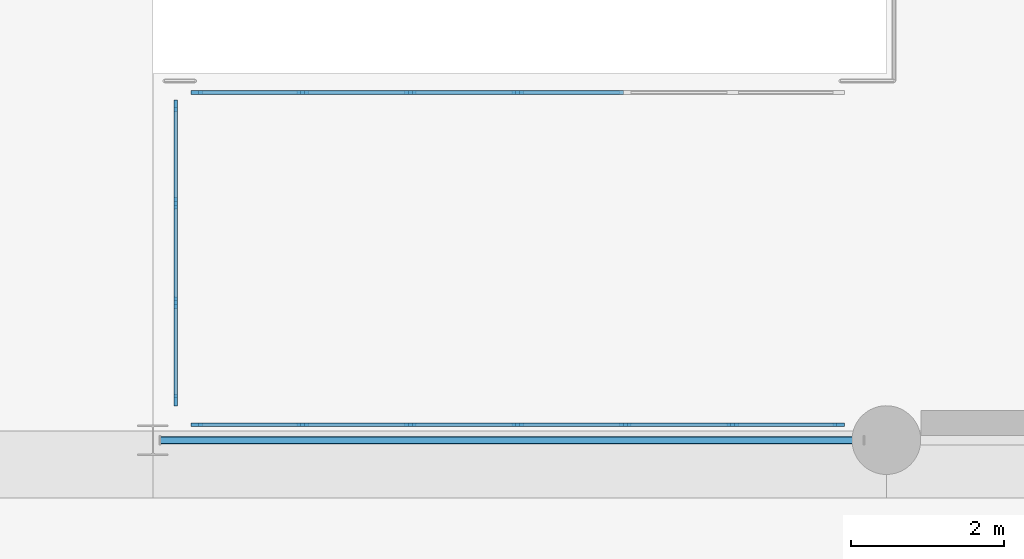
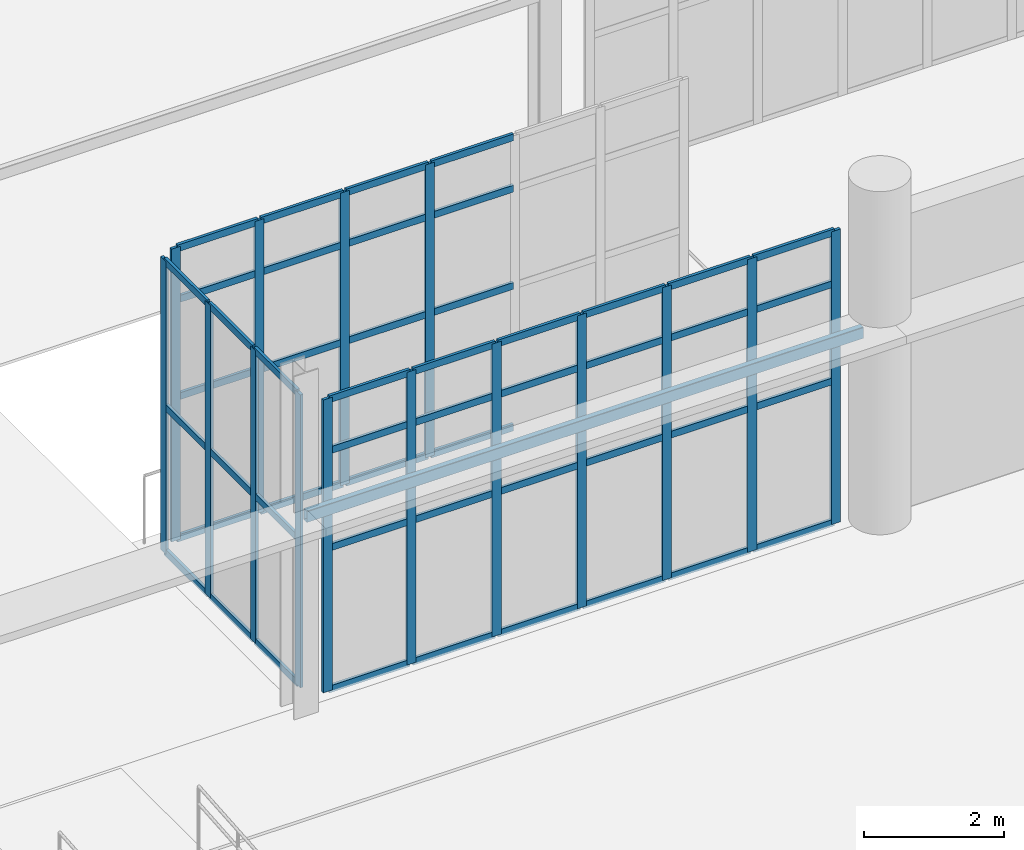
# One storey, part 33 of 139: 64 members, 1 beam, 3 elements without a shape of their own.
"""IFC4 building model written with IfcOpenShell, lengths in metres."""

import ifcopenshell
import ifcopenshell.guid

model = None  # the IFC model being written
_history = None  # IfcOwnerHistory: only IFC2X3 demands one
_inside = {}  # id of a spatial element -> (the spatial element, [elements in it])
_under = {}  # id of a project, library or spatial element -> (it, [spatial elements below it])
_declared = {}  # id of a project -> (the project, [libraries it declares])
_typed = {}  # id of a type object -> (the type object, [elements of that type])
_made_of = {}  # id of a material, layer set ... -> (it, [elements and type objects made of it])


def new_model(schema):
    """Start an empty IFC model of exactly this schema.

    Asked for "IFC4X3", IfcOpenShell would pick the latest addendum, in which some entities
    have other attributes; the version numbers below select the first issue.
    IFC2X3 requires an IfcOwnerHistory on every rooted entity: one is made here for all.
    """
    global model, _history
    if schema == "IFC4X3":
        model = ifcopenshell.file(schema_version=(4, 3, 0, 0))
    else:
        model = ifcopenshell.file(schema=schema)
    _inside.clear()
    _under.clear()
    _declared.clear()
    _typed.clear()
    _made_of.clear()
    _history = None
    if model.schema == "IFC2X3":
        org = make("IfcOrganization", Name="unknown")
        user = make(
            "IfcPersonAndOrganization",
            ThePerson=make("IfcPerson", FamilyName="unknown"),
            TheOrganization=org,
        )
        app = make(
            "IfcApplication",
            ApplicationDeveloper=org,
            Version="unknown",
            ApplicationFullName="unknown",
            ApplicationIdentifier="unknown",
        )
        _history = make(
            "IfcOwnerHistory",
            OwningUser=user,
            OwningApplication=app,
            ChangeAction="ADDED",
            CreationDate=0,
        )
    return model


def make(cls, **values):
    """One entity of the class cls with the attributes given. An attribute that is None is left unset."""
    return model.create_entity(
        cls, **{name: value for name, value in values.items() if value is not None}
    )


def rooted(cls, **values):
    """An entity with a GlobalId (a new one), such as an element, a storey or a relation."""
    return make(cls, GlobalId=ifcopenshell.guid.new(), OwnerHistory=_history, **values)


def si_unit(unit_type, name, prefix=None):
    """IfcSIUnit, for example si_unit("LENGTHUNIT", "METRE", prefix="MILLI")."""
    return make("IfcSIUnit", UnitType=unit_type, Prefix=prefix, Name=name)


def assignment(units):
    """IfcUnitAssignment: the units of a project."""
    return None if units is None else make("IfcUnitAssignment", Units=units)


def point(xyz):
    """IfcCartesianPoint."""
    return None if xyz is None else make("IfcCartesianPoint", Coordinates=xyz)


def direction(xyz):
    """IfcDirection."""
    return None if xyz is None else make("IfcDirection", DirectionRatios=xyz)


def frame(location, z_axis=None, x_axis=None):
    """IfcAxis2Placement3D, a coordinate frame: its origin and axes. An axis left out is left unset."""
    return make(
        "IfcAxis2Placement3D",
        Location=point(location),
        Axis=direction(z_axis),
        RefDirection=direction(x_axis),
    )


def frame_2d(location, x_axis=None):
    """IfcAxis2Placement2D, a coordinate frame in the plane: its origin and x axis."""
    return make(
        "IfcAxis2Placement2D", Location=point(location), RefDirection=direction(x_axis)
    )


def origin():
    """The frame at (0, 0, 0) with its axes left unset."""
    return frame((0.0, 0.0, 0.0))


def origin_2d():
    """The frame at (0, 0) in the plane with its x axis left unset."""
    return frame_2d((0.0, 0.0))


def place(relative_to, where):
    """IfcLocalPlacement: puts the frame where relative to a parent placement (None: the world)."""
    return make(
        "IfcLocalPlacement", PlacementRelTo=relative_to, RelativePlacement=where
    )


def context(
    kind, dimensions, precision=None, world=None, true_north=None, identifier=None
):
    """IfcGeometricRepresentationContext, for example the 3D "Model" context."""
    return make(
        "IfcGeometricRepresentationContext",
        ContextIdentifier=identifier,
        ContextType=kind,
        CoordinateSpaceDimension=dimensions,
        Precision=precision,
        WorldCoordinateSystem=world,
        TrueNorth=true_north,
    )


def subcontext(parent, identifier, kind, view, scale=None):
    """IfcGeometricRepresentationSubContext, for example "Body" below "Model"."""
    return make(
        "IfcGeometricRepresentationSubContext",
        ContextIdentifier=identifier,
        ContextType=kind,
        ParentContext=parent,
        TargetScale=scale,
        TargetView=view,
    )


def project(units=None, contexts=None):
    """IfcProject with its units and contexts."""
    return rooted(
        "IfcProject",
        Name="project",
        RepresentationContexts=contexts,
        UnitsInContext=assignment(units),
    )


def spatial(cls, under=None, at=None, **own):
    """A site, building, storey or space (cls), placed at a placement, below another one or the project."""
    s = rooted(cls, ObjectPlacement=at, **own)
    if under is not None:
        _under.setdefault(under.id(), (under, []))[1].append(s)
    return s


def profile(cls, at=None, kind="AREA", **sizes):
    """A parametric profile (cls). Its sizes go by their IFC names, for example OverallWidth=200.0."""
    return make(cls, ProfileType=kind, Position=at, **sizes)


def rectangle(**sizes):
    """IfcRectangleProfileDef."""
    return profile("IfcRectangleProfileDef", **sizes)


def hollow_rectangle(**sizes):
    """IfcRectangleHollowProfileDef."""
    return profile("IfcRectangleHollowProfileDef", **sizes)


def extrude(swept, where, along, depth):
    """IfcExtrudedAreaSolid: the profile swept, set in the frame where, extruded along a direction by depth."""
    return make(
        "IfcExtrudedAreaSolid",
        SweptArea=swept,
        Position=where,
        ExtrudedDirection=direction(along),
        Depth=depth,
    )


def shape(context_of_items, identifier, shape_type, items):
    """IfcShapeRepresentation: the items that make up one representation, for example the "Body"."""
    return make(
        "IfcShapeRepresentation",
        ContextOfItems=context_of_items,
        RepresentationIdentifier=identifier,
        RepresentationType=shape_type,
        Items=items,
    )


def material(Name=None, Category=None):
    """IfcMaterial."""
    return make("IfcMaterial", Name=Name, Category=Category)


def layer(
    of_material, thickness, ventilated=None, Name=None, Category=None, Priority=None
):
    """IfcMaterialLayer: one layer of a wall or slab, of a material (None: an air gap)."""
    return make(
        "IfcMaterialLayer",
        Material=of_material,
        LayerThickness=thickness,
        IsVentilated=ventilated,
        Name=Name,
        Category=Category,
        Priority=Priority,
    )


def layer_set(layers, Name=None):
    """IfcMaterialLayerSet."""
    return make("IfcMaterialLayerSet", MaterialLayers=layers, LayerSetName=Name)


def material_profile(
    of_material, cross_section, Name=None, Category=None, Priority=None
):
    """IfcMaterialProfile: a cross section and its material."""
    return make(
        "IfcMaterialProfile",
        Name=Name,
        Material=of_material,
        Profile=cross_section,
        Priority=Priority,
        Category=Category,
    )


def profile_set(profiles, Name=None, composite=None):
    """IfcMaterialProfileSet."""
    return make(
        "IfcMaterialProfileSet",
        Name=Name,
        MaterialProfiles=profiles,
        CompositeProfile=composite,
    )


def made_of(thing, what):
    """Note that an element or type object is made of a material, layer set ...; save() writes the relation."""
    if what is not None:
        _made_of.setdefault(what.id(), (what, []))[1].append(thing)
    return thing


def type_object(cls, material=None, **own):
    """A type object (cls), such as IfcWallType, which elements share."""
    return made_of(rooted(cls, **own), material)


def element(
    cls,
    number,
    at=None,
    inside=None,
    cuts=None,
    type_object=None,
    material=None,
    context=None,
    identifier="Body",
    shape_type=None,
    held_by="IfcProductDefinitionShape",
    body=None,
    shapes=None,
    **own,
):
    """One element of the class cls, such as IfcWall. Its Tag is "e" and its number.

    at: its placement. inside: the storey or other place that contains it. cuts: it is an
    opening in that element (IfcRelVoidsElement). A single representation is given by context,
    identifier, shape_type and body (its items); several are given by shapes. held_by: the class
    of the entity that holds the representations. save() writes the other relations.
    """
    e = rooted(cls, Tag="e%d" % number, ObjectPlacement=at, **own)
    if body is not None:
        shapes = [shape(context, identifier, shape_type, body)]
    if shapes is not None:
        e.Representation = make(held_by, Representations=shapes)
    if inside is not None:
        _inside.setdefault(inside.id(), (inside, []))[1].append(e)
    if cuts is not None:
        rooted(
            "IfcRelVoidsElement", RelatingBuildingElement=cuts, RelatedOpeningElement=e
        )
    if type_object is not None:
        _typed.setdefault(type_object.id(), (type_object, []))[1].append(e)
    return made_of(e, material)


def aggregate(whole, parts):
    """IfcRelAggregates: a whole, such as a stair, and the parts it consists of."""
    return rooted("IfcRelAggregates", RelatingObject=whole, RelatedObjects=parts)


def save(model, path):
    """Write the relations noted so far, then the file.

    IfcRelAggregates (storeys below a building ...), IfcRelContainedInSpatialStructure (elements
    in a storey), IfcRelDefinesByType, IfcRelAssociatesMaterial and IfcRelDeclares: one each for
    every whole, place, type object, material and project.
    """
    for whole, parts in _under.values():
        aggregate(whole, parts)
    for where, things in _inside.values():
        rooted(
            "IfcRelContainedInSpatialStructure",
            RelatedElements=things,
            RelatingStructure=where,
        )
    for kind, things in _typed.values():
        rooted("IfcRelDefinesByType", RelatedObjects=things, RelatingType=kind)
    for what, things in _made_of.values():
        rooted("IfcRelAssociatesMaterial", RelatedObjects=things, RelatingMaterial=what)
    for by, libraries in _declared.values():
        rooted("IfcRelDeclares", RelatingContext=by, RelatedDefinitions=libraries)
    model.write(path)


model = new_model("IFC4")

# Units and contexts
model_context = context("Model", 3, precision=1e-05, world=origin(), true_north=direction((0.0, 1.0)))
body_context = subcontext(model_context, "Body", "Model", "MODEL_VIEW")
ifc_project = project(units=[si_unit("LENGTHUNIT", "METRE"), si_unit("AREAUNIT", "SQUARE_METRE"), si_unit("VOLUMEUNIT", "CUBIC_METRE"), si_unit("PLANEANGLEUNIT", "RADIAN"), si_unit("MASSUNIT", "GRAM", prefix="KILO")], contexts=[model_context])

# Site, building, storey
site_placement = place(None, origin())
site = spatial("IfcSite", under=ifc_project, at=site_placement, CompositionType="ELEMENT")
building_placement = place(site_placement, origin())
building = spatial("IfcBuilding", under=site, at=building_placement, Name="Yeouljin Market Hall", CompositionType="ELEMENT")
storey_placement = place(building_placement, origin())
storey = spatial("IfcBuildingStorey", under=building, at=storey_placement, Name="L00", CompositionType="ELEMENT", Elevation=0.0)

# Curtain wall, members
ifc_material_1 = material(Name="Thermally Broken Aluminium", Category="aluminium")
ifc_layer_1 = layer(ifc_material_1, 0.14990234375)
ifc_layer_set_1 = layer_set([ifc_layer_1], Name="Thermally Broken Aluminium")
curtain_wall_type_1 = type_object("IfcCurtainWallType", Name="CW_ColonnadeScreen_System", PredefinedType="USERDEFINED", material=ifc_layer_set_1)
curtain_wall_1_placement = place(storey_placement, origin())
curtain_wall_1 = element("IfcCurtainWall", 1, at=curtain_wall_1_placement, inside=storey, type_object=curtain_wall_type_1, Name="Curtain wall CW-V5S-L00-4", ObjectType="CURTAIN WALL", PredefinedType="USERDEFINED")
ifc_material_2 = material(Name="Thermally Broken Aluminium", Category="aluminium")
ifc_material_profile_1 = material_profile(ifc_material_2, rectangle(XDim=0.048095703125, YDim=0.14990234375, at=origin_2d()), Name="CW-MULL-48x150")
ifc_profile_set_1 = profile_set([ifc_material_profile_1], Name="Thermally Broken Aluminium")
member_type_1 = type_object("IfcMemberType", Name="CWMullion_48x150", PredefinedType="MULLION", material=ifc_profile_set_1)
member_1_placement = place(storey_placement, frame((121.176025390625, 0.199951171875, 0.0), z_axis=(0.0, 0.0, 1.0), x_axis=(0.0, -1.0, 0.0)))
member_1 = element("IfcMember", 2, at=member_1_placement, type_object=member_type_1, Name="CW-06 mullion 1", PredefinedType="MULLION", context=body_context, shape_type="SweptSolid", body=[
    extrude(rectangle(XDim=0.048095703125, YDim=0.14990234375, at=origin_2d()), origin(), (0.0, 0.0, 1.0), 5.1201171875),
])
member_2_placement = place(storey_placement, frame((119.791748046875, 0.199951171875, 0.0), z_axis=(0.0, 0.0, 1.0), x_axis=(0.0, -1.0, 0.0)))
member_2 = element("IfcMember", 3, at=member_2_placement, type_object=member_type_1, Name="CW-06 mullion 2", PredefinedType="MULLION", context=body_context, shape_type="SweptSolid", body=[
    extrude(rectangle(XDim=0.048095703125, YDim=0.14990234375, at=origin_2d()), origin(), (0.0, 0.0, 1.0), 5.1201171875),
])
member_3_placement = place(storey_placement, frame((118.38330078125, 0.199951171875, 0.0), z_axis=(0.0, 0.0, 1.0), x_axis=(0.0, -1.0, 0.0)))
member_3 = element("IfcMember", 4, at=member_3_placement, type_object=member_type_1, Name="CW-06 mullion 3", PredefinedType="MULLION", context=body_context, shape_type="SweptSolid", body=[
    extrude(rectangle(XDim=0.048095703125, YDim=0.14990234375, at=origin_2d()), origin(), (0.0, 0.0, 1.0), 5.1201171875),
])
member_4_placement = place(storey_placement, frame((116.97509765625, 0.199951171875, 0.0), z_axis=(0.0, 0.0, 1.0), x_axis=(0.0, -1.0, 0.0)))
member_4 = element("IfcMember", 5, at=member_4_placement, type_object=member_type_1, Name="CW-06 mullion 4", PredefinedType="MULLION", context=body_context, shape_type="SweptSolid", body=[
    extrude(rectangle(XDim=0.048095703125, YDim=0.14990234375, at=origin_2d()), origin(), (0.0, 0.0, 1.0), 5.1201171875),
])
member_5_placement = place(storey_placement, frame((115.566650390625, 0.199951171875, 0.0), z_axis=(0.0, 0.0, 1.0), x_axis=(0.0, -1.0, 0.0)))
member_5 = element("IfcMember", 6, at=member_5_placement, type_object=member_type_1, Name="CW-06 mullion 5", PredefinedType="MULLION", context=body_context, shape_type="SweptSolid", body=[
    extrude(rectangle(XDim=0.048095703125, YDim=0.14990234375, at=origin_2d()), origin(), (0.0, 0.0, 1.0), 5.1201171875),
])
member_6_placement = place(storey_placement, frame((114.158447265625, 0.199951171875, 0.0), z_axis=(0.0, 0.0, 1.0), x_axis=(0.0, -1.0, 0.0)))
member_6 = element("IfcMember", 7, at=member_6_placement, type_object=member_type_1, Name="CW-06 mullion 6", PredefinedType="MULLION", context=body_context, shape_type="SweptSolid", body=[
    extrude(rectangle(XDim=0.048095703125, YDim=0.14990234375, at=origin_2d()), origin(), (0.0, 0.0, 1.0), 5.1201171875),
])
member_7_placement = place(storey_placement, frame((112.77392578125, 0.199951171875, 0.0), z_axis=(0.0, 0.0, 1.0), x_axis=(0.0, -1.0, 0.0)))
member_7 = element("IfcMember", 8, at=member_7_placement, type_object=member_type_1, Name="CW-06 mullion 7", PredefinedType="MULLION", context=body_context, shape_type="SweptSolid", body=[
    extrude(rectangle(XDim=0.048095703125, YDim=0.14990234375, at=origin_2d()), origin(), (0.0, 0.0, 1.0), 5.1201171875),
])

curtain_wall_2_placement = place(storey_placement, origin())
curtain_wall_2 = element("IfcCurtainWall", 9, at=curtain_wall_2_placement, inside=storey, type_object=curtain_wall_type_1, Name="Curtain wall CW-V5N-L00-4", ObjectType="CURTAIN WALL", PredefinedType="USERDEFINED")
member_8_placement = place(storey_placement, frame((112.77392578125, 4.550048828125, 0.0), z_axis=(0.0, 0.0, 1.0), x_axis=(0.0, 1.0, 0.0)))
member_8 = element("IfcMember", 10, at=member_8_placement, type_object=member_type_1, Name="CW-06 mullion 1", PredefinedType="MULLION", context=body_context, shape_type="SweptSolid", body=[
    extrude(rectangle(XDim=0.048095703125, YDim=0.14990234375, at=origin_2d()), origin(), (0.0, 0.0, 1.0), 5.1201171875),
])
member_9_placement = place(storey_placement, frame((114.158447265625, 4.550048828125, 0.0), z_axis=(0.0, 0.0, 1.0), x_axis=(0.0, 1.0, 0.0)))
member_9 = element("IfcMember", 11, at=member_9_placement, type_object=member_type_1, Name="CW-06 mullion 2", PredefinedType="MULLION", context=body_context, shape_type="SweptSolid", body=[
    extrude(rectangle(XDim=0.048095703125, YDim=0.14990234375, at=origin_2d()), origin(), (0.0, 0.0, 1.0), 5.1201171875),
])
member_10_placement = place(storey_placement, frame((115.566650390625, 4.550048828125, 0.0), z_axis=(0.0, 0.0, 1.0), x_axis=(0.0, 1.0, 0.0)))
member_10 = element("IfcMember", 12, at=member_10_placement, type_object=member_type_1, Name="CW-06 mullion 3", PredefinedType="MULLION", context=body_context, shape_type="SweptSolid", body=[
    extrude(rectangle(XDim=0.048095703125, YDim=0.14990234375, at=origin_2d()), origin(), (0.0, 0.0, 1.0), 5.1201171875),
])
member_11_placement = place(storey_placement, frame((116.97509765625, 4.550048828125, 0.0), z_axis=(0.0, 0.0, 1.0), x_axis=(0.0, 1.0, 0.0)))
member_11 = element("IfcMember", 13, at=member_11_placement, type_object=member_type_1, Name="CW-06 mullion 4", PredefinedType="MULLION", context=body_context, shape_type="SweptSolid", body=[
    extrude(rectangle(XDim=0.048095703125, YDim=0.14990234375, at=origin_2d()), origin(), (0.0, 0.0, 1.0), 5.1201171875),
])

ifc_material_3 = material(Name="Thermally Broken Aluminium", Category="aluminium")
ifc_layer_2 = layer(ifc_material_3, 0.14990234375)
ifc_layer_set_2 = layer_set([ifc_layer_2], Name="Thermally Broken Aluminium")
curtain_wall_type_2 = type_object("IfcCurtainWallType", Name="CW_WingStorefront_System", PredefinedType="USERDEFINED", material=ifc_layer_set_2)
curtain_wall_3_placement = place(storey_placement, origin())
curtain_wall_3 = element("IfcCurtainWall", 14, at=curtain_wall_3_placement, inside=storey, type_object=curtain_wall_type_2, Name="Curtain wall CW-CRT-L00-28", ObjectType="CURTAIN WALL", PredefinedType="USERDEFINED")
member_12_placement = place(storey_placement, frame((112.5, 0.52392578125, 0.0), z_axis=(0.0, 0.0, 1.0), x_axis=(-1.0, 0.0, 0.0)))
member_12 = element("IfcMember", 15, at=member_12_placement, type_object=member_type_1, Name="CW-04 mullion 1", PredefinedType="MULLION", context=body_context, shape_type="SweptSolid", body=[
    extrude(rectangle(XDim=0.048095703125, YDim=0.14990234375, at=origin_2d()), origin(), (0.0, 0.0, 1.0), 5.1201171875),
])
member_13_placement = place(storey_placement, frame((112.5, 1.800048828125, 0.0), z_axis=(0.0, 0.0, 1.0), x_axis=(-1.0, 0.0, 0.0)))
member_13 = element("IfcMember", 16, at=member_13_placement, type_object=member_type_1, Name="CW-04 mullion 2", PredefinedType="MULLION", context=body_context, shape_type="SweptSolid", body=[
    extrude(rectangle(XDim=0.048095703125, YDim=0.14990234375, at=origin_2d()), origin(), (0.0, 0.0, 1.0), 5.1201171875),
])
member_14_placement = place(storey_placement, frame((112.5, 3.10009765625, 0.0), z_axis=(0.0, 0.0, 1.0), x_axis=(-1.0, 0.0, 0.0)))
member_14 = element("IfcMember", 17, at=member_14_placement, type_object=member_type_1, Name="CW-04 mullion 3", PredefinedType="MULLION", context=body_context, shape_type="SweptSolid", body=[
    extrude(rectangle(XDim=0.048095703125, YDim=0.14990234375, at=origin_2d()), origin(), (0.0, 0.0, 1.0), 5.1201171875),
])
member_15_placement = place(storey_placement, frame((112.5, 4.3759765625, 0.0), z_axis=(0.0, 0.0, 1.0), x_axis=(-1.0, 0.0, 0.0)))
member_15 = element("IfcMember", 18, at=member_15_placement, type_object=member_type_1, Name="CW-04 mullion 4", PredefinedType="MULLION", context=body_context, shape_type="SweptSolid", body=[
    extrude(rectangle(XDim=0.048095703125, YDim=0.14990234375, at=origin_2d()), origin(), (0.0, 0.0, 1.0), 5.1201171875),
])

# Member
ifc_material_4 = material(Name="Thermally Broken Aluminium", Category="aluminium")
ifc_material_profile_2 = material_profile(ifc_material_4, rectangle(XDim=0.048095703125, YDim=0.1201171875, at=origin_2d()), Name="CW-TRAN-48x120")
ifc_profile_set_2 = profile_set([ifc_material_profile_2], Name="Thermally Broken Aluminium")
member_type_2 = type_object("IfcMemberType", Name="CWTransom_48x120", PredefinedType="USERDEFINED", material=ifc_profile_set_2)
member_16_placement = place(storey_placement, frame((121.152099609375, 0.199951171875, 0.02392578125), z_axis=(-1.0, 0.0, 0.0), x_axis=(0.0, -1.0, 0.0)))
member_16 = element("IfcMember", 19, at=member_16_placement, type_object=member_type_2, Name="CW-06 transom 1.1", ObjectType="TRANSOM", PredefinedType="USERDEFINED", context=body_context, shape_type="SweptSolid", body=[
    extrude(rectangle(XDim=0.048095703125, YDim=0.1201171875, at=origin_2d()), origin(), (0.0, 0.0, 1.0), 1.33642578125),
])

member_17_placement = place(storey_placement, frame((121.152099609375, 0.199951171875, 2.5), z_axis=(-1.0, 0.0, 0.0), x_axis=(0.0, -1.0, 0.0)))
member_17 = element("IfcMember", 20, at=member_17_placement, type_object=member_type_2, Name="CW-06 transom 1.2", ObjectType="TRANSOM", PredefinedType="USERDEFINED", context=body_context, shape_type="SweptSolid", body=[
    extrude(rectangle(XDim=0.048095703125, YDim=0.1201171875, at=origin_2d()), origin(), (0.0, 0.0, 1.0), 1.33642578125),
])

member_18_placement = place(storey_placement, frame((121.152099609375, 0.199951171875, 4.199951171875), z_axis=(-1.0, 0.0, 0.0), x_axis=(0.0, -1.0, 0.0)))
member_18 = element("IfcMember", 21, at=member_18_placement, type_object=member_type_2, Name="CW-06 transom 1.3", ObjectType="TRANSOM", PredefinedType="USERDEFINED", context=body_context, shape_type="SweptSolid", body=[
    extrude(rectangle(XDim=0.048095703125, YDim=0.1201171875, at=origin_2d()), origin(), (0.0, 0.0, 1.0), 1.33642578125),
])

member_19_placement = place(storey_placement, frame((121.152099609375, 0.199951171875, 5.095947265625), z_axis=(-1.0, 0.0, 0.0), x_axis=(0.0, -1.0, 0.0)))
member_19 = element("IfcMember", 22, at=member_19_placement, type_object=member_type_2, Name="CW-06 transom 1.4", ObjectType="TRANSOM", PredefinedType="USERDEFINED", context=body_context, shape_type="SweptSolid", body=[
    extrude(rectangle(XDim=0.048095703125, YDim=0.1201171875, at=origin_2d()), origin(), (0.0, 0.0, 1.0), 1.33642578125),
])

member_20_placement = place(storey_placement, frame((119.767578125, 0.199951171875, 0.02392578125), z_axis=(-1.0, 0.0, 0.0), x_axis=(0.0, -1.0, 0.0)))
member_20 = element("IfcMember", 23, at=member_20_placement, type_object=member_type_2, Name="CW-06 transom 2.1", ObjectType="TRANSOM", PredefinedType="USERDEFINED", context=body_context, shape_type="SweptSolid", body=[
    extrude(rectangle(XDim=0.048095703125, YDim=0.1201171875, at=origin_2d()), origin(), (0.0, 0.0, 1.0), 1.3603515625),
])

member_21_placement = place(storey_placement, frame((119.767578125, 0.199951171875, 2.5), z_axis=(-1.0, 0.0, 0.0), x_axis=(0.0, -1.0, 0.0)))
member_21 = element("IfcMember", 24, at=member_21_placement, type_object=member_type_2, Name="CW-06 transom 2.2", ObjectType="TRANSOM", PredefinedType="USERDEFINED", context=body_context, shape_type="SweptSolid", body=[
    extrude(rectangle(XDim=0.048095703125, YDim=0.1201171875, at=origin_2d()), origin(), (0.0, 0.0, 1.0), 1.3603515625),
])

member_22_placement = place(storey_placement, frame((119.767578125, 0.199951171875, 4.199951171875), z_axis=(-1.0, 0.0, 0.0), x_axis=(0.0, -1.0, 0.0)))
member_22 = element("IfcMember", 25, at=member_22_placement, type_object=member_type_2, Name="CW-06 transom 2.3", ObjectType="TRANSOM", PredefinedType="USERDEFINED", context=body_context, shape_type="SweptSolid", body=[
    extrude(rectangle(XDim=0.048095703125, YDim=0.1201171875, at=origin_2d()), origin(), (0.0, 0.0, 1.0), 1.3603515625),
])

member_23_placement = place(storey_placement, frame((119.767578125, 0.199951171875, 5.095947265625), z_axis=(-1.0, 0.0, 0.0), x_axis=(0.0, -1.0, 0.0)))
member_23 = element("IfcMember", 26, at=member_23_placement, type_object=member_type_2, Name="CW-06 transom 2.4", ObjectType="TRANSOM", PredefinedType="USERDEFINED", context=body_context, shape_type="SweptSolid", body=[
    extrude(rectangle(XDim=0.048095703125, YDim=0.1201171875, at=origin_2d()), origin(), (0.0, 0.0, 1.0), 1.3603515625),
])

member_24_placement = place(storey_placement, frame((118.359375, 0.199951171875, 0.02392578125), z_axis=(-1.0, 0.0, 0.0), x_axis=(0.0, -1.0, 0.0)))
member_24 = element("IfcMember", 27, at=member_24_placement, type_object=member_type_2, Name="CW-06 transom 3.1", ObjectType="TRANSOM", PredefinedType="USERDEFINED", context=body_context, shape_type="SweptSolid", body=[
    extrude(rectangle(XDim=0.048095703125, YDim=0.1201171875, at=origin_2d()), origin(), (0.0, 0.0, 1.0), 1.3603515625),
])

member_25_placement = place(storey_placement, frame((118.359375, 0.199951171875, 2.5), z_axis=(-1.0, 0.0, 0.0), x_axis=(0.0, -1.0, 0.0)))
member_25 = element("IfcMember", 28, at=member_25_placement, type_object=member_type_2, Name="CW-06 transom 3.2", ObjectType="TRANSOM", PredefinedType="USERDEFINED", context=body_context, shape_type="SweptSolid", body=[
    extrude(rectangle(XDim=0.048095703125, YDim=0.1201171875, at=origin_2d()), origin(), (0.0, 0.0, 1.0), 1.3603515625),
])

member_26_placement = place(storey_placement, frame((118.359375, 0.199951171875, 4.199951171875), z_axis=(-1.0, 0.0, 0.0), x_axis=(0.0, -1.0, 0.0)))
member_26 = element("IfcMember", 29, at=member_26_placement, type_object=member_type_2, Name="CW-06 transom 3.3", ObjectType="TRANSOM", PredefinedType="USERDEFINED", context=body_context, shape_type="SweptSolid", body=[
    extrude(rectangle(XDim=0.048095703125, YDim=0.1201171875, at=origin_2d()), origin(), (0.0, 0.0, 1.0), 1.3603515625),
])

member_27_placement = place(storey_placement, frame((118.359375, 0.199951171875, 5.095947265625), z_axis=(-1.0, 0.0, 0.0), x_axis=(0.0, -1.0, 0.0)))
member_27 = element("IfcMember", 30, at=member_27_placement, type_object=member_type_2, Name="CW-06 transom 3.4", ObjectType="TRANSOM", PredefinedType="USERDEFINED", context=body_context, shape_type="SweptSolid", body=[
    extrude(rectangle(XDim=0.048095703125, YDim=0.1201171875, at=origin_2d()), origin(), (0.0, 0.0, 1.0), 1.3603515625),
])

member_28_placement = place(storey_placement, frame((116.950927734375, 0.199951171875, 0.02392578125), z_axis=(-1.0, 0.0, 0.0), x_axis=(0.0, -1.0, 0.0)))
member_28 = element("IfcMember", 31, at=member_28_placement, type_object=member_type_2, Name="CW-06 transom 4.1", ObjectType="TRANSOM", PredefinedType="USERDEFINED", context=body_context, shape_type="SweptSolid", body=[
    extrude(rectangle(XDim=0.048095703125, YDim=0.1201171875, at=origin_2d()), origin(), (0.0, 0.0, 1.0), 1.3603515625),
])

member_29_placement = place(storey_placement, frame((116.950927734375, 0.199951171875, 2.5), z_axis=(-1.0, 0.0, 0.0), x_axis=(0.0, -1.0, 0.0)))
member_29 = element("IfcMember", 32, at=member_29_placement, type_object=member_type_2, Name="CW-06 transom 4.2", ObjectType="TRANSOM", PredefinedType="USERDEFINED", context=body_context, shape_type="SweptSolid", body=[
    extrude(rectangle(XDim=0.048095703125, YDim=0.1201171875, at=origin_2d()), origin(), (0.0, 0.0, 1.0), 1.3603515625),
])

member_30_placement = place(storey_placement, frame((116.950927734375, 0.199951171875, 4.199951171875), z_axis=(-1.0, 0.0, 0.0), x_axis=(0.0, -1.0, 0.0)))
member_30 = element("IfcMember", 33, at=member_30_placement, type_object=member_type_2, Name="CW-06 transom 4.3", ObjectType="TRANSOM", PredefinedType="USERDEFINED", context=body_context, shape_type="SweptSolid", body=[
    extrude(rectangle(XDim=0.048095703125, YDim=0.1201171875, at=origin_2d()), origin(), (0.0, 0.0, 1.0), 1.3603515625),
])

member_31_placement = place(storey_placement, frame((116.950927734375, 0.199951171875, 5.095947265625), z_axis=(-1.0, 0.0, 0.0), x_axis=(0.0, -1.0, 0.0)))
member_31 = element("IfcMember", 34, at=member_31_placement, type_object=member_type_2, Name="CW-06 transom 4.4", ObjectType="TRANSOM", PredefinedType="USERDEFINED", context=body_context, shape_type="SweptSolid", body=[
    extrude(rectangle(XDim=0.048095703125, YDim=0.1201171875, at=origin_2d()), origin(), (0.0, 0.0, 1.0), 1.3603515625),
])

member_32_placement = place(storey_placement, frame((115.542724609375, 0.199951171875, 0.02392578125), z_axis=(-1.0, 0.0, 0.0), x_axis=(0.0, -1.0, 0.0)))
member_32 = element("IfcMember", 35, at=member_32_placement, type_object=member_type_2, Name="CW-06 transom 5.1", ObjectType="TRANSOM", PredefinedType="USERDEFINED", context=body_context, shape_type="SweptSolid", body=[
    extrude(rectangle(XDim=0.048095703125, YDim=0.1201171875, at=origin_2d()), origin(), (0.0, 0.0, 1.0), 1.3603515625),
])

member_33_placement = place(storey_placement, frame((115.542724609375, 0.199951171875, 2.5), z_axis=(-1.0, 0.0, 0.0), x_axis=(0.0, -1.0, 0.0)))
member_33 = element("IfcMember", 36, at=member_33_placement, type_object=member_type_2, Name="CW-06 transom 5.2", ObjectType="TRANSOM", PredefinedType="USERDEFINED", context=body_context, shape_type="SweptSolid", body=[
    extrude(rectangle(XDim=0.048095703125, YDim=0.1201171875, at=origin_2d()), origin(), (0.0, 0.0, 1.0), 1.3603515625),
])

member_34_placement = place(storey_placement, frame((115.542724609375, 0.199951171875, 4.199951171875), z_axis=(-1.0, 0.0, 0.0), x_axis=(0.0, -1.0, 0.0)))
member_34 = element("IfcMember", 37, at=member_34_placement, type_object=member_type_2, Name="CW-06 transom 5.3", ObjectType="TRANSOM", PredefinedType="USERDEFINED", context=body_context, shape_type="SweptSolid", body=[
    extrude(rectangle(XDim=0.048095703125, YDim=0.1201171875, at=origin_2d()), origin(), (0.0, 0.0, 1.0), 1.3603515625),
])

member_35_placement = place(storey_placement, frame((115.542724609375, 0.199951171875, 5.095947265625), z_axis=(-1.0, 0.0, 0.0), x_axis=(0.0, -1.0, 0.0)))
member_35 = element("IfcMember", 38, at=member_35_placement, type_object=member_type_2, Name="CW-06 transom 5.4", ObjectType="TRANSOM", PredefinedType="USERDEFINED", context=body_context, shape_type="SweptSolid", body=[
    extrude(rectangle(XDim=0.048095703125, YDim=0.1201171875, at=origin_2d()), origin(), (0.0, 0.0, 1.0), 1.3603515625),
])

member_36_placement = place(storey_placement, frame((114.13427734375, 0.199951171875, 0.02392578125), z_axis=(-1.0, 0.0, 0.0), x_axis=(0.0, -1.0, 0.0)))
member_36 = element("IfcMember", 39, at=member_36_placement, type_object=member_type_2, Name="CW-06 transom 6.1", ObjectType="TRANSOM", PredefinedType="USERDEFINED", context=body_context, shape_type="SweptSolid", body=[
    extrude(rectangle(XDim=0.048095703125, YDim=0.1201171875, at=origin_2d()), origin(), (0.0, 0.0, 1.0), 1.336181640625),
])

member_37_placement = place(storey_placement, frame((114.13427734375, 0.199951171875, 2.5), z_axis=(-1.0, 0.0, 0.0), x_axis=(0.0, -1.0, 0.0)))
member_37 = element("IfcMember", 40, at=member_37_placement, type_object=member_type_2, Name="CW-06 transom 6.2", ObjectType="TRANSOM", PredefinedType="USERDEFINED", context=body_context, shape_type="SweptSolid", body=[
    extrude(rectangle(XDim=0.048095703125, YDim=0.1201171875, at=origin_2d()), origin(), (0.0, 0.0, 1.0), 1.336181640625),
])

member_38_placement = place(storey_placement, frame((114.13427734375, 0.199951171875, 4.199951171875), z_axis=(-1.0, 0.0, 0.0), x_axis=(0.0, -1.0, 0.0)))
member_38 = element("IfcMember", 41, at=member_38_placement, type_object=member_type_2, Name="CW-06 transom 6.3", ObjectType="TRANSOM", PredefinedType="USERDEFINED", context=body_context, shape_type="SweptSolid", body=[
    extrude(rectangle(XDim=0.048095703125, YDim=0.1201171875, at=origin_2d()), origin(), (0.0, 0.0, 1.0), 1.336181640625),
])

member_39_placement = place(storey_placement, frame((114.13427734375, 0.199951171875, 5.095947265625), z_axis=(-1.0, 0.0, 0.0), x_axis=(0.0, -1.0, 0.0)))
member_39 = element("IfcMember", 42, at=member_39_placement, type_object=member_type_2, Name="CW-06 transom 6.4", ObjectType="TRANSOM", PredefinedType="USERDEFINED", context=body_context, shape_type="SweptSolid", body=[
    extrude(rectangle(XDim=0.048095703125, YDim=0.1201171875, at=origin_2d()), origin(), (0.0, 0.0, 1.0), 1.336181640625),
])

aggregate(curtain_wall_1, [member_1, member_2, member_3, member_4, member_5, member_6, member_7, member_16, member_17, member_18, member_19, member_20, member_21, member_22, member_23, member_24, member_25, member_26, member_27, member_28, member_29, member_30, member_31, member_32, member_33, member_34, member_35, member_36, member_37, member_38, member_39])

member_40_placement = place(storey_placement, frame((112.798095703125, 4.550048828125, 0.02392578125), z_axis=(1.0, 0.0, 0.0), x_axis=(0.0, 1.0, 0.0)))
member_40 = element("IfcMember", 43, at=member_40_placement, type_object=member_type_2, Name="CW-06 transom 1.1", ObjectType="TRANSOM", PredefinedType="USERDEFINED", context=body_context, shape_type="SweptSolid", body=[
    extrude(rectangle(XDim=0.048095703125, YDim=0.1201171875, at=origin_2d()), origin(), (0.0, 0.0, 1.0), 1.336181640625),
])

member_41_placement = place(storey_placement, frame((112.798095703125, 4.550048828125, 2.5), z_axis=(1.0, 0.0, 0.0), x_axis=(0.0, 1.0, 0.0)))
member_41 = element("IfcMember", 44, at=member_41_placement, type_object=member_type_2, Name="CW-06 transom 1.2", ObjectType="TRANSOM", PredefinedType="USERDEFINED", context=body_context, shape_type="SweptSolid", body=[
    extrude(rectangle(XDim=0.048095703125, YDim=0.1201171875, at=origin_2d()), origin(), (0.0, 0.0, 1.0), 1.336181640625),
])

member_42_placement = place(storey_placement, frame((112.798095703125, 4.550048828125, 4.199951171875), z_axis=(1.0, 0.0, 0.0), x_axis=(0.0, 1.0, 0.0)))
member_42 = element("IfcMember", 45, at=member_42_placement, type_object=member_type_2, Name="CW-06 transom 1.3", ObjectType="TRANSOM", PredefinedType="USERDEFINED", context=body_context, shape_type="SweptSolid", body=[
    extrude(rectangle(XDim=0.048095703125, YDim=0.1201171875, at=origin_2d()), origin(), (0.0, 0.0, 1.0), 1.336181640625),
])

member_43_placement = place(storey_placement, frame((112.798095703125, 4.550048828125, 5.095947265625), z_axis=(1.0, 0.0, 0.0), x_axis=(0.0, 1.0, 0.0)))
member_43 = element("IfcMember", 46, at=member_43_placement, type_object=member_type_2, Name="CW-06 transom 1.4", ObjectType="TRANSOM", PredefinedType="USERDEFINED", context=body_context, shape_type="SweptSolid", body=[
    extrude(rectangle(XDim=0.048095703125, YDim=0.1201171875, at=origin_2d()), origin(), (0.0, 0.0, 1.0), 1.336181640625),
])

member_44_placement = place(storey_placement, frame((114.182373046875, 4.550048828125, 0.02392578125), z_axis=(1.0, 0.0, 0.0), x_axis=(0.0, 1.0, 0.0)))
member_44 = element("IfcMember", 47, at=member_44_placement, type_object=member_type_2, Name="CW-06 transom 2.1", ObjectType="TRANSOM", PredefinedType="USERDEFINED", context=body_context, shape_type="SweptSolid", body=[
    extrude(rectangle(XDim=0.048095703125, YDim=0.1201171875, at=origin_2d()), origin(), (0.0, 0.0, 1.0), 1.3603515625),
])

member_45_placement = place(storey_placement, frame((114.182373046875, 4.550048828125, 2.5), z_axis=(1.0, 0.0, 0.0), x_axis=(0.0, 1.0, 0.0)))
member_45 = element("IfcMember", 48, at=member_45_placement, type_object=member_type_2, Name="CW-06 transom 2.2", ObjectType="TRANSOM", PredefinedType="USERDEFINED", context=body_context, shape_type="SweptSolid", body=[
    extrude(rectangle(XDim=0.048095703125, YDim=0.1201171875, at=origin_2d()), origin(), (0.0, 0.0, 1.0), 1.3603515625),
])

member_46_placement = place(storey_placement, frame((114.182373046875, 4.550048828125, 4.199951171875), z_axis=(1.0, 0.0, 0.0), x_axis=(0.0, 1.0, 0.0)))
member_46 = element("IfcMember", 49, at=member_46_placement, type_object=member_type_2, Name="CW-06 transom 2.3", ObjectType="TRANSOM", PredefinedType="USERDEFINED", context=body_context, shape_type="SweptSolid", body=[
    extrude(rectangle(XDim=0.048095703125, YDim=0.1201171875, at=origin_2d()), origin(), (0.0, 0.0, 1.0), 1.3603515625),
])

member_47_placement = place(storey_placement, frame((114.182373046875, 4.550048828125, 5.095947265625), z_axis=(1.0, 0.0, 0.0), x_axis=(0.0, 1.0, 0.0)))
member_47 = element("IfcMember", 50, at=member_47_placement, type_object=member_type_2, Name="CW-06 transom 2.4", ObjectType="TRANSOM", PredefinedType="USERDEFINED", context=body_context, shape_type="SweptSolid", body=[
    extrude(rectangle(XDim=0.048095703125, YDim=0.1201171875, at=origin_2d()), origin(), (0.0, 0.0, 1.0), 1.3603515625),
])

member_48_placement = place(storey_placement, frame((115.590576171875, 4.550048828125, 0.02392578125), z_axis=(1.0, 0.0, 0.0), x_axis=(0.0, 1.0, 0.0)))
member_48 = element("IfcMember", 51, at=member_48_placement, type_object=member_type_2, Name="CW-06 transom 3.1", ObjectType="TRANSOM", PredefinedType="USERDEFINED", context=body_context, shape_type="SweptSolid", body=[
    extrude(rectangle(XDim=0.048095703125, YDim=0.1201171875, at=origin_2d()), origin(), (0.0, 0.0, 1.0), 1.3603515625),
])

member_49_placement = place(storey_placement, frame((115.590576171875, 4.550048828125, 2.5), z_axis=(1.0, 0.0, 0.0), x_axis=(0.0, 1.0, 0.0)))
member_49 = element("IfcMember", 52, at=member_49_placement, type_object=member_type_2, Name="CW-06 transom 3.2", ObjectType="TRANSOM", PredefinedType="USERDEFINED", context=body_context, shape_type="SweptSolid", body=[
    extrude(rectangle(XDim=0.048095703125, YDim=0.1201171875, at=origin_2d()), origin(), (0.0, 0.0, 1.0), 1.3603515625),
])

member_50_placement = place(storey_placement, frame((115.590576171875, 4.550048828125, 4.199951171875), z_axis=(1.0, 0.0, 0.0), x_axis=(0.0, 1.0, 0.0)))
member_50 = element("IfcMember", 53, at=member_50_placement, type_object=member_type_2, Name="CW-06 transom 3.3", ObjectType="TRANSOM", PredefinedType="USERDEFINED", context=body_context, shape_type="SweptSolid", body=[
    extrude(rectangle(XDim=0.048095703125, YDim=0.1201171875, at=origin_2d()), origin(), (0.0, 0.0, 1.0), 1.3603515625),
])

member_51_placement = place(storey_placement, frame((115.590576171875, 4.550048828125, 5.095947265625), z_axis=(1.0, 0.0, 0.0), x_axis=(0.0, 1.0, 0.0)))
member_51 = element("IfcMember", 54, at=member_51_placement, type_object=member_type_2, Name="CW-06 transom 3.4", ObjectType="TRANSOM", PredefinedType="USERDEFINED", context=body_context, shape_type="SweptSolid", body=[
    extrude(rectangle(XDim=0.048095703125, YDim=0.1201171875, at=origin_2d()), origin(), (0.0, 0.0, 1.0), 1.3603515625),
])

member_52_placement = place(storey_placement, frame((116.9990234375, 4.550048828125, 0.02392578125), z_axis=(1.0, 0.0, 0.0), x_axis=(0.0, 1.0, 0.0)))
member_52 = element("IfcMember", 55, at=member_52_placement, type_object=member_type_2, Name="CW-06 transom 4.1", ObjectType="TRANSOM", PredefinedType="USERDEFINED", context=body_context, shape_type="SweptSolid", body=[
    extrude(rectangle(XDim=0.048095703125, YDim=0.1201171875, at=origin_2d()), origin(), (0.0, 0.0, 1.0), 1.3603515625),
])

member_53_placement = place(storey_placement, frame((116.9990234375, 4.550048828125, 2.5), z_axis=(1.0, 0.0, 0.0), x_axis=(0.0, 1.0, 0.0)))
member_53 = element("IfcMember", 56, at=member_53_placement, type_object=member_type_2, Name="CW-06 transom 4.2", ObjectType="TRANSOM", PredefinedType="USERDEFINED", context=body_context, shape_type="SweptSolid", body=[
    extrude(rectangle(XDim=0.048095703125, YDim=0.1201171875, at=origin_2d()), origin(), (0.0, 0.0, 1.0), 1.3603515625),
])

member_54_placement = place(storey_placement, frame((116.9990234375, 4.550048828125, 4.199951171875), z_axis=(1.0, 0.0, 0.0), x_axis=(0.0, 1.0, 0.0)))
member_54 = element("IfcMember", 57, at=member_54_placement, type_object=member_type_2, Name="CW-06 transom 4.3", ObjectType="TRANSOM", PredefinedType="USERDEFINED", context=body_context, shape_type="SweptSolid", body=[
    extrude(rectangle(XDim=0.048095703125, YDim=0.1201171875, at=origin_2d()), origin(), (0.0, 0.0, 1.0), 1.3603515625),
])

member_55_placement = place(storey_placement, frame((116.9990234375, 4.550048828125, 5.095947265625), z_axis=(1.0, 0.0, 0.0), x_axis=(0.0, 1.0, 0.0)))
member_55 = element("IfcMember", 58, at=member_55_placement, type_object=member_type_2, Name="CW-06 transom 4.4", ObjectType="TRANSOM", PredefinedType="USERDEFINED", context=body_context, shape_type="SweptSolid", body=[
    extrude(rectangle(XDim=0.048095703125, YDim=0.1201171875, at=origin_2d()), origin(), (0.0, 0.0, 1.0), 1.3603515625),
])

aggregate(curtain_wall_2, [member_8, member_9, member_10, member_11, member_40, member_41, member_42, member_43, member_44, member_45, member_46, member_47, member_48, member_49, member_50, member_51, member_52, member_53, member_54, member_55])

member_56_placement = place(storey_placement, frame((112.5, 0.548095703125, 0.02392578125), z_axis=(0.0, 1.0, 0.0), x_axis=(-1.0, 0.0, 0.0)))
member_56 = element("IfcMember", 59, at=member_56_placement, type_object=member_type_2, Name="CW-04 transom 1.1", ObjectType="TRANSOM", PredefinedType="USERDEFINED", context=body_context, shape_type="SweptSolid", body=[
    extrude(rectangle(XDim=0.048095703125, YDim=0.1201171875, at=origin_2d()), origin(), (0.0, 0.0, 1.0), 1.227783203125),
])

member_57_placement = place(storey_placement, frame((112.5, 0.548095703125, 2.56005859375), z_axis=(0.0, 1.0, 0.0), x_axis=(-1.0, 0.0, 0.0)))
member_57 = element("IfcMember", 60, at=member_57_placement, type_object=member_type_2, Name="CW-04 transom 1.2", ObjectType="TRANSOM", PredefinedType="USERDEFINED", context=body_context, shape_type="SweptSolid", body=[
    extrude(rectangle(XDim=0.048095703125, YDim=0.1201171875, at=origin_2d()), origin(), (0.0, 0.0, 1.0), 1.227783203125),
])

member_58_placement = place(storey_placement, frame((112.5, 0.548095703125, 5.095947265625), z_axis=(0.0, 1.0, 0.0), x_axis=(-1.0, 0.0, 0.0)))
member_58 = element("IfcMember", 61, at=member_58_placement, type_object=member_type_2, Name="CW-04 transom 1.3", ObjectType="TRANSOM", PredefinedType="USERDEFINED", context=body_context, shape_type="SweptSolid", body=[
    extrude(rectangle(XDim=0.048095703125, YDim=0.1201171875, at=origin_2d()), origin(), (0.0, 0.0, 1.0), 1.227783203125),
])

member_59_placement = place(storey_placement, frame((112.5, 1.823974609375, 0.02392578125), z_axis=(0.0, 1.0, 0.0), x_axis=(-1.0, 0.0, 0.0)))
member_59 = element("IfcMember", 62, at=member_59_placement, type_object=member_type_2, Name="CW-04 transom 2.1", ObjectType="TRANSOM", PredefinedType="USERDEFINED", context=body_context, shape_type="SweptSolid", body=[
    extrude(rectangle(XDim=0.048095703125, YDim=0.1201171875, at=origin_2d()), origin(), (0.0, 0.0, 1.0), 1.251953125),
])

member_60_placement = place(storey_placement, frame((112.5, 1.823974609375, 2.56005859375), z_axis=(0.0, 1.0, 0.0), x_axis=(-1.0, 0.0, 0.0)))
member_60 = element("IfcMember", 63, at=member_60_placement, type_object=member_type_2, Name="CW-04 transom 2.2", ObjectType="TRANSOM", PredefinedType="USERDEFINED", context=body_context, shape_type="SweptSolid", body=[
    extrude(rectangle(XDim=0.048095703125, YDim=0.1201171875, at=origin_2d()), origin(), (0.0, 0.0, 1.0), 1.251953125),
])

member_61_placement = place(storey_placement, frame((112.5, 1.823974609375, 5.095947265625), z_axis=(0.0, 1.0, 0.0), x_axis=(-1.0, 0.0, 0.0)))
member_61 = element("IfcMember", 64, at=member_61_placement, type_object=member_type_2, Name="CW-04 transom 2.3", ObjectType="TRANSOM", PredefinedType="USERDEFINED", context=body_context, shape_type="SweptSolid", body=[
    extrude(rectangle(XDim=0.048095703125, YDim=0.1201171875, at=origin_2d()), origin(), (0.0, 0.0, 1.0), 1.251953125),
])

member_62_placement = place(storey_placement, frame((112.5, 3.1240234375, 0.02392578125), z_axis=(0.0, 1.0, 0.0), x_axis=(-1.0, 0.0, 0.0)))
member_62 = element("IfcMember", 65, at=member_62_placement, type_object=member_type_2, Name="CW-04 transom 3.1", ObjectType="TRANSOM", PredefinedType="USERDEFINED", context=body_context, shape_type="SweptSolid", body=[
    extrude(rectangle(XDim=0.048095703125, YDim=0.1201171875, at=origin_2d()), origin(), (0.0, 0.0, 1.0), 1.22802734375),
])

member_63_placement = place(storey_placement, frame((112.5, 3.1240234375, 2.56005859375), z_axis=(0.0, 1.0, 0.0), x_axis=(-1.0, 0.0, 0.0)))
member_63 = element("IfcMember", 66, at=member_63_placement, type_object=member_type_2, Name="CW-04 transom 3.2", ObjectType="TRANSOM", PredefinedType="USERDEFINED", context=body_context, shape_type="SweptSolid", body=[
    extrude(rectangle(XDim=0.048095703125, YDim=0.1201171875, at=origin_2d()), origin(), (0.0, 0.0, 1.0), 1.22802734375),
])

member_64_placement = place(storey_placement, frame((112.5, 3.1240234375, 5.095947265625), z_axis=(0.0, 1.0, 0.0), x_axis=(-1.0, 0.0, 0.0)))
member_64 = element("IfcMember", 67, at=member_64_placement, type_object=member_type_2, Name="CW-04 transom 3.3", ObjectType="TRANSOM", PredefinedType="USERDEFINED", context=body_context, shape_type="SweptSolid", body=[
    extrude(rectangle(XDim=0.048095703125, YDim=0.1201171875, at=origin_2d()), origin(), (0.0, 0.0, 1.0), 1.22802734375),
])

aggregate(curtain_wall_3, [member_12, member_13, member_14, member_15, member_56, member_57, member_58, member_59, member_60, member_61, member_62, member_63, member_64])

# Beam
ifc_material_5 = material(Name="Steel SS275", Category="steel")
ifc_material_profile_3 = material_profile(ifc_material_5, hollow_rectangle(XDim=0.10009765625, YDim=0.199951171875, WallThickness=0.006103515625, InnerFilletRadius=0.006103515625, OuterFilletRadius=0.011962890625, at=origin_2d()), Name="RHS-200x100x6")
ifc_profile_set_3 = profile_set([ifc_material_profile_3], Name="Steel SS275")
beam_type = type_object("IfcBeamType", Name="Lintel_RHS200x100", PredefinedType="LINTEL", material=ifc_profile_set_3)
beam_placement = place(storey_placement, frame((112.300048828125, 0.0, 3.35009765625), z_axis=(1.0, 0.0, 0.0), x_axis=(0.0, 1.0, 0.0)))
element("IfcBeam", 68, at=beam_placement, inside=storey, type_object=beam_type, Name="Colonnade portal lintel L00-10", PredefinedType="LINTEL", context=body_context, shape_type="SweptSolid", body=[
    extrude(hollow_rectangle(XDim=0.10009765625, YDim=0.199951171875, WallThickness=0.006103515625, InnerFilletRadius=0.006103515625, OuterFilletRadius=0.011962890625, at=origin_2d()), origin(), (0.0, 0.0, 1.0), 9.199951171875),
])

save(model, "model.ifc")
